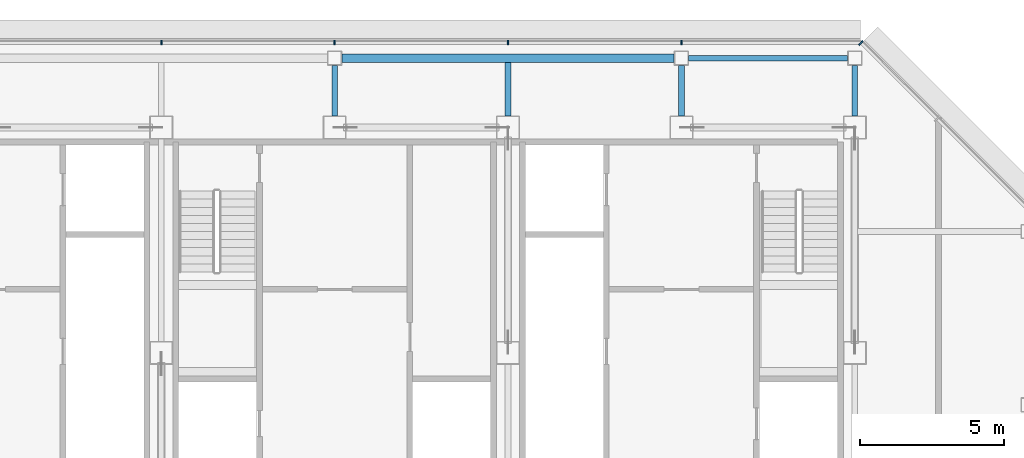
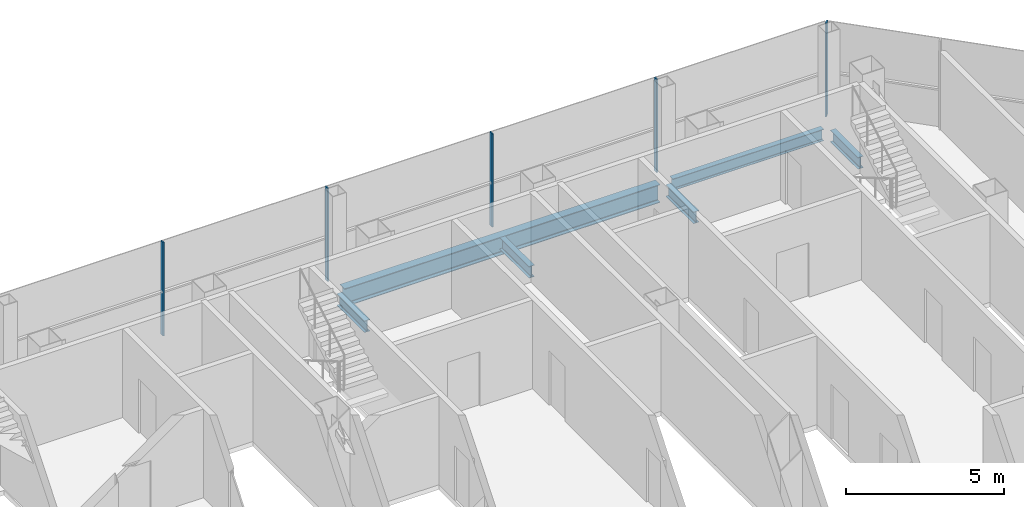
# One storey, part 16 of 27: 6 beams, 5 members, 2 elements without a shape of their own.
"""IFC4 building model written with IfcOpenShell, lengths in metres."""

from ifc_helpers import new_model, si_unit, direction, frame, origin, origin_2d, place, context, subcontext, project, spatial, rectangle, i_section, extrude, material, material_profile, profile_set, type_object, element, aggregate, save


model = new_model("IFC4")

# Units and contexts
model_context = context("Model", 3, precision=1e-05, world=origin(), true_north=direction((0.0, 1.0)))
body_context = subcontext(model_context, "Body", "Model", "MODEL_VIEW")
ifc_project = project(units=[si_unit("LENGTHUNIT", "METRE"), si_unit("AREAUNIT", "SQUARE_METRE"), si_unit("VOLUMEUNIT", "CUBIC_METRE"), si_unit("PLANEANGLEUNIT", "RADIAN"), si_unit("MASSUNIT", "GRAM", prefix="KILO")], contexts=[model_context])

# Site, building, storey
site_placement = place(None, origin())
site = spatial("IfcSite", under=ifc_project, at=site_placement, CompositionType="ELEMENT")
building_placement = place(site_placement, origin())
building = spatial("IfcBuilding", under=site, at=building_placement, Name="Sorahane Residences", CompositionType="ELEMENT")
storey_placement = place(building_placement, frame((0.0, 0.0, 316.0)))
storey = spatial("IfcBuildingStorey", under=building, at=storey_placement, Name="L75", CompositionType="ELEMENT", Elevation=316.0)

# Curtain wall, members
ifc_material_1 = material(Name="Dark low-e glass and black anodised aluminium", Category="aluminium")
curtain_wall_type_1 = type_object("IfcCurtainWallType", Name="Curtain wall CW-1 Typical unitised wall", PredefinedType="NOTDEFINED", material=ifc_material_1)
curtain_wall_1_placement = place(storey_placement, origin())
curtain_wall_1 = element("IfcCurtainWall", 1, at=curtain_wall_1_placement, inside=storey, type_object=curtain_wall_type_1, Name="CW-1 curtain wall L75 N1", PredefinedType="NOTDEFINED")
ifc_material_2 = material(Name="Black anodised aluminium", Category="aluminium")
ifc_material_profile_1 = material_profile(ifc_material_2, rectangle(XDim=0.159912109375, YDim=0.050048828125, at=origin_2d()), Name="Curtain wall mullion CW-1 black anodised aluminium 50x160")
ifc_profile_set_1 = profile_set([ifc_material_profile_1], Name="Black anodised aluminium")
member_type_1 = type_object("IfcMemberType", Name="Curtain wall mullion CW-1 black anodised aluminium 50x160", PredefinedType="MULLION", material=ifc_profile_set_1)
member_1_placement = place(storey_placement, frame((36.0, 48.5400390625, -0.179931640625), z_axis=(0.0, 0.0, 1.0), x_axis=(0.0, 1.0, 0.0)))
member_1 = element("IfcMember", 2, at=member_1_placement, type_object=member_type_1, Name="CW-1 mullion L75 N1.2", PredefinedType="MULLION", context=body_context, shape_type="SweptSolid", body=[
    extrude(rectangle(XDim=0.159912109375, YDim=0.050048828125, at=origin_2d()), origin(), (0.0, 0.0, 1.0), 3.599853515625),
])
member_2_placement = place(storey_placement, frame((30.0, 48.5400390625, -0.179931640625), z_axis=(0.0, 0.0, 1.0), x_axis=(0.0, 1.0, 0.0)))
member_2 = element("IfcMember", 3, at=member_2_placement, type_object=member_type_1, Name="CW-1 mullion L75 N1.3", PredefinedType="MULLION", context=body_context, shape_type="SweptSolid", body=[
    extrude(rectangle(XDim=0.159912109375, YDim=0.050048828125, at=origin_2d()), origin(), (0.0, 0.0, 1.0), 3.599853515625),
])
member_3_placement = place(storey_placement, frame((24.0, 48.5400390625, -0.179931640625), z_axis=(0.0, 0.0, 1.0), x_axis=(0.0, 1.0, 0.0)))
member_3 = element("IfcMember", 4, at=member_3_placement, type_object=member_type_1, Name="CW-1 mullion L75 N1.4", PredefinedType="MULLION", context=body_context, shape_type="SweptSolid", body=[
    extrude(rectangle(XDim=0.159912109375, YDim=0.050048828125, at=origin_2d()), origin(), (0.0, 0.0, 1.0), 3.599853515625),
])
member_4_placement = place(storey_placement, frame((18.0, 48.5400390625, -0.179931640625), z_axis=(0.0, 0.0, 1.0), x_axis=(0.0, 1.0, 0.0)))
member_4 = element("IfcMember", 5, at=member_4_placement, type_object=member_type_1, Name="CW-1 mullion L75 N1.5", PredefinedType="MULLION", context=body_context, shape_type="SweptSolid", body=[
    extrude(rectangle(XDim=0.159912109375, YDim=0.050048828125, at=origin_2d()), origin(), (0.0, 0.0, 1.0), 3.599853515625),
])
aggregate(curtain_wall_1, [member_1, member_2, member_3, member_4])

# Curtain wall, member
ifc_material_3 = material(Name="Dark low-e glass and black anodised aluminium", Category="aluminium")
curtain_wall_type_2 = type_object("IfcCurtainWallType", Name="Curtain wall CW-2 Chamfer unitised wall", PredefinedType="NOTDEFINED", material=ifc_material_3)
curtain_wall_2_placement = place(storey_placement, origin())
curtain_wall_2 = element("IfcCurtainWall", 6, at=curtain_wall_2_placement, inside=storey, type_object=curtain_wall_type_2, Name="CW-2 curtain wall L75 NE1", PredefinedType="NOTDEFINED")
ifc_material_4 = material(Name="Black anodised aluminium", Category="aluminium")
ifc_material_profile_2 = material_profile(ifc_material_4, rectangle(XDim=0.199951171875, YDim=0.050048828125, at=origin_2d()), Name="Curtain wall mullion CW-2 black anodised aluminium 50x200")
ifc_profile_set_2 = profile_set([ifc_material_profile_2], Name="Black anodised aluminium")
member_type_2 = type_object("IfcMemberType", Name="Curtain wall mullion CW-2 black anodised aluminium 50x200", PredefinedType="MULLION", material=ifc_profile_set_2)
member_5_placement = place(storey_placement, frame((42.209716796875, 48.525634765625, -0.179931640625), z_axis=(0.0, 0.0, 1.0), x_axis=(0.707106781187, 0.707106781187, 0.0)))
member_5 = element("IfcMember", 7, at=member_5_placement, type_object=member_type_2, Name="CW-2 mullion L75 NE1.3", PredefinedType="MULLION", context=body_context, shape_type="SweptSolid", body=[
    extrude(rectangle(XDim=0.199951171875, YDim=0.050048828125, at=origin_2d()), origin(), (0.0, 0.0, 1.0), 3.599853515625),
])
aggregate(curtain_wall_2, [member_5])

# Beams
ifc_material_5 = material(Name="Steel Q355B", Category="steel")
ifc_material_profile_3 = material_profile(ifc_material_5, i_section(OverallWidth=0.199951171875, OverallDepth=0.449951171875, WebThickness=0.009033203125, FlangeThickness=0.013916015625, FilletRadius=0.02001953125, at=origin_2d()), Name="HN 450x200x9x14")
ifc_profile_set_3 = profile_set([ifc_material_profile_3], Name="Steel Q355B")
beam_type_1 = type_object("IfcBeamType", Name="Steel floor beam HN 450x200x9x14 Q355B", PredefinedType="BEAM", material=ifc_profile_set_3)
beam_1_placement = place(storey_placement, frame((36.25, 48.0, -0.405029296875), z_axis=(1.0, 0.0, 0.0), x_axis=(0.0, 1.0, 0.0)))
element("IfcBeam", 8, at=beam_1_placement, inside=storey, type_object=beam_type_1, Name="Beam L75 019", PredefinedType="BEAM", context=body_context, shape_type="SweptSolid", body=[
    extrude(i_section(OverallWidth=0.199951171875, OverallDepth=0.449951171875, WebThickness=0.009033203125, FlangeThickness=0.013916015625, FilletRadius=0.02001953125, at=origin_2d()), origin(), (0.0, 0.0, 1.0), 5.5),
])
beam_2_placement = place(storey_placement, frame((24.0, 46.0, -0.405029296875), z_axis=(0.0, 1.0, 0.0), x_axis=(-1.0, 0.0, 0.0)))
element("IfcBeam", 9, at=beam_2_placement, inside=storey, type_object=beam_type_1, Name="Beam L75 047", PredefinedType="BEAM", context=body_context, shape_type="SweptSolid", body=[
    extrude(i_section(OverallWidth=0.199951171875, OverallDepth=0.449951171875, WebThickness=0.009033203125, FlangeThickness=0.013916015625, FilletRadius=0.02001953125, at=origin_2d()), origin(), (0.0, 0.0, 1.0), 1.75),
])
beam_3_placement = place(storey_placement, frame((30.0, 46.0, -0.405029296875), z_axis=(0.0, 1.0, 0.0), x_axis=(-1.0, 0.0, 0.0)))
element("IfcBeam", 10, at=beam_3_placement, inside=storey, type_object=beam_type_1, Name="Beam L75 053", PredefinedType="BEAM", context=body_context, shape_type="SweptSolid", body=[
    extrude(i_section(OverallWidth=0.199951171875, OverallDepth=0.449951171875, WebThickness=0.009033203125, FlangeThickness=0.013916015625, FilletRadius=0.02001953125, at=origin_2d()), origin(), (0.0, 0.0, 1.0), 1.85009765625),
])
for number, where, z_axis, x_axis, name in (
    (11, (36.0, 46.0, -0.405029296875), (0.0, 1.0, 0.0), (-1.0, 0.0, 0.0), "Beam L75 055"),
    (12, (42.0, 46.0, -0.405029296875), (0.0, 1.0, 0.0), (-1.0, 0.0, 0.0), "Beam L75 061"),
):
    element("IfcBeam", number, at=place(storey_placement, frame(where, z_axis=z_axis, x_axis=x_axis)), inside=storey, type_object=beam_type_1, Name=name, PredefinedType="BEAM", context=body_context, shape_type="SweptSolid", body=[
        extrude(i_section(OverallWidth=0.199951171875, OverallDepth=0.449951171875, WebThickness=0.009033203125, FlangeThickness=0.013916015625, FilletRadius=0.02001953125, at=origin_2d()), origin(), (0.0, 0.0, 1.0), 1.75),
    ])
ifc_material_6 = material(Name="Steel Q355B", Category="steel")
ifc_material_profile_4 = material_profile(ifc_material_6, i_section(OverallWidth=0.300048828125, OverallDepth=0.699951171875, WebThickness=0.012939453125, FlangeThickness=0.02392578125, FilletRadius=0.028076171875, at=origin_2d()), Name="HN 700x300x13x24")
ifc_profile_set_4 = profile_set([ifc_material_profile_4], Name="Steel Q355B")
beam_type_2 = type_object("IfcBeamType", Name="Steel floor beam HN 700x300x13x24 Q355B", PredefinedType="BEAM", material=ifc_profile_set_4)
beam_4_placement = place(storey_placement, frame((24.25, 48.0, -0.530029296875), z_axis=(1.0, 0.0, 0.0), x_axis=(0.0, 1.0, 0.0)))
element("IfcBeam", 13, at=beam_4_placement, inside=storey, type_object=beam_type_2, Name="Beam L75 018", PredefinedType="BEAM", context=body_context, shape_type="SweptSolid", body=[
    extrude(i_section(OverallWidth=0.300048828125, OverallDepth=0.699951171875, WebThickness=0.012939453125, FlangeThickness=0.02392578125, FilletRadius=0.028076171875, at=origin_2d()), origin(), (0.0, 0.0, 1.0), 11.5),
])

save(model, "model.ifc")
